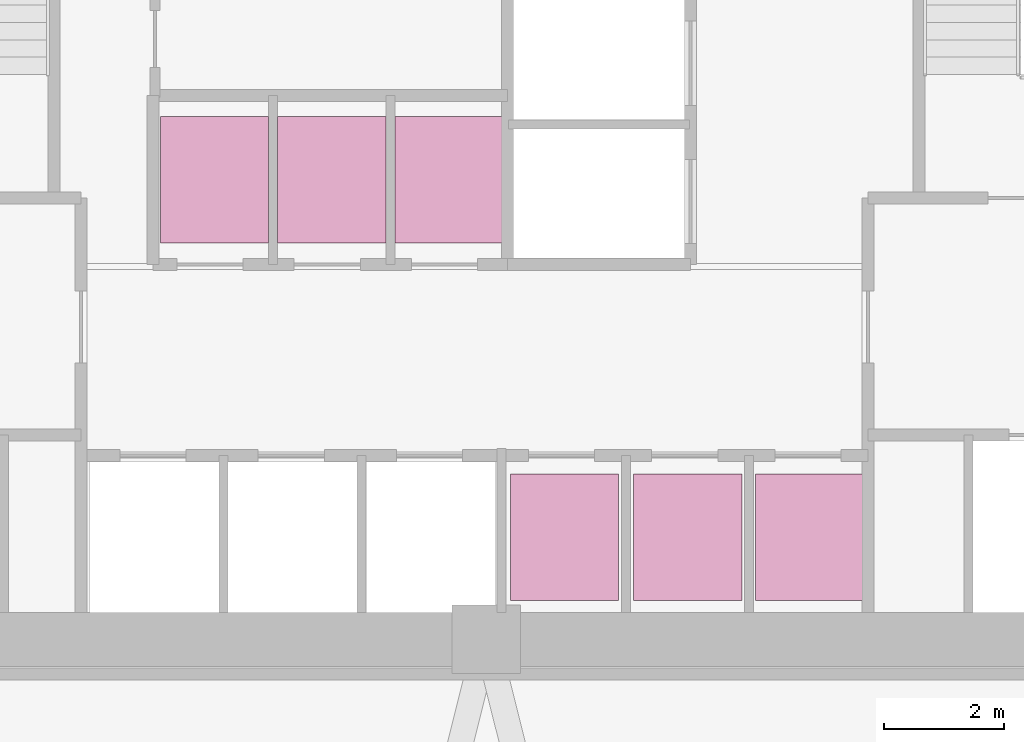
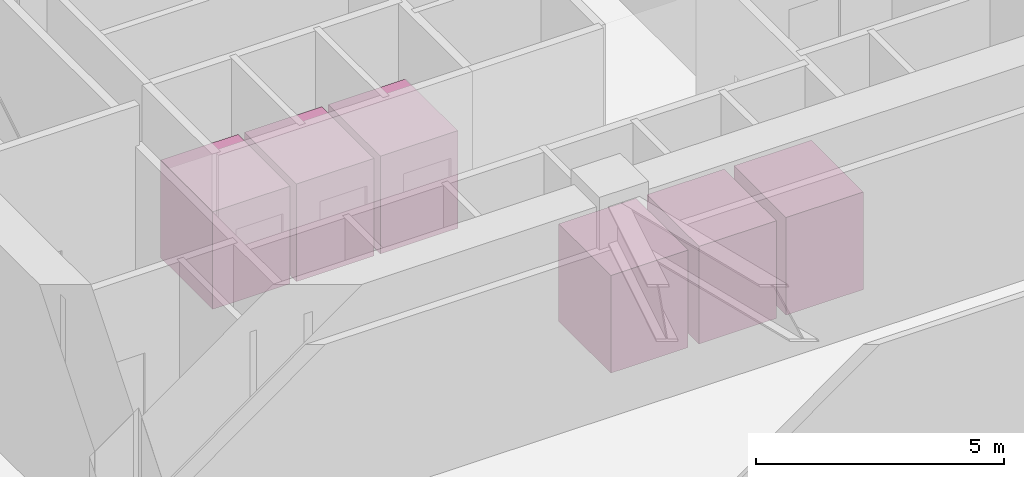
# One storey, part 9 of 9: 6 transport elements.
"""IFC4 building model written with IfcOpenShell, lengths in metres."""

from ifc_helpers import new_model, si_unit, derived_unit, direction, frame, origin, origin_2d, place, context, subcontext, project, spatial, rectangle, extrude, material, type_object, element, save


model = new_model("IFC4")

# Units and contexts
model_context = context("Model", 3, precision=1e-05, world=origin(), true_north=direction((0.0, 1.0)))
body_context = subcontext(model_context, "Body", "Model", "MODEL_VIEW")
ifc_project = project(units=[si_unit("LENGTHUNIT", "METRE"), si_unit("AREAUNIT", "SQUARE_METRE"), si_unit("VOLUMEUNIT", "CUBIC_METRE"), si_unit("PLANEANGLEUNIT", "RADIAN"), si_unit("MASSUNIT", "GRAM", prefix="KILO"), derived_unit("THERMALTRANSMITTANCEUNIT", [(si_unit("POWERUNIT", "WATT"), 1), (si_unit("LENGTHUNIT", "METRE"), -2), (si_unit("THERMODYNAMICTEMPERATUREUNIT", "KELVIN"), -1)])], contexts=[model_context])

# Site, building, storey
site_placement = place(None, origin())
site = spatial("IfcSite", under=ifc_project, at=site_placement, CompositionType="ELEMENT")
building_placement = place(site_placement, origin())
building = spatial("IfcBuilding", under=site, at=building_placement, Name="Koralith Skygarden Medical Center", CompositionType="ELEMENT")
storey_placement = place(building_placement, origin())
storey = spatial("IfcBuildingStorey", under=building, at=storey_placement, Name="L00", CompositionType="ELEMENT", Elevation=0.0)

# Transport elements
ifc_material = material(Name="Steel ASTM A500 Grade C", Category="steel")
transport_element_type = type_object("IfcTransportElementType", Name="Passenger Elevator Car 1800x2100", PredefinedType="ELEVATOR", material=ifc_material)
for number, where, z_axis, x_axis, name in (
    (1, (38.300048828125, 19.0, 0.0), (0.0, 0.0, 1.0), (1.0, 0.0, 0.0), "Mid-Rise Passenger Elevator PM1"),
    (2, (40.35009765625, 19.0, 0.0), (0.0, 0.0, 1.0), (1.0, 0.0, 0.0), "Mid-Rise Passenger Elevator PM2"),
    (3, (42.375, 19.0, 0.0), (0.0, 0.0, 1.0), (1.0, 0.0, 0.0), "Mid-Rise Passenger Elevator PM3"),
    (4, (32.47509765625, 24.949951171875, 0.0), (0.0, 0.0, 1.0), (1.0, 0.0, 0.0), "High-Rise Passenger Elevator PH1"),
    (5, (34.425048828125, 24.949951171875, 0.0), (0.0, 0.0, 1.0), (1.0, 0.0, 0.0), "High-Rise Passenger Elevator PH2"),
    (6, (36.375, 24.949951171875, 0.0), (0.0, 0.0, 1.0), (1.0, 0.0, 0.0), "High-Rise Passenger Elevator PH3"),
):
    element("IfcTransportElement", number, at=place(storey_placement, frame(where, z_axis=z_axis, x_axis=x_axis)), inside=storey, type_object=transport_element_type, Name=name, PredefinedType="ELEVATOR", context=body_context, shape_type="SweptSolid", body=[
        extrude(rectangle(XDim=1.800048828125, YDim=2.10009765625, at=origin_2d()), origin(), (0.0, 0.0, 1.0), 2.39990234375),
    ])

save(model, "model.ifc")
